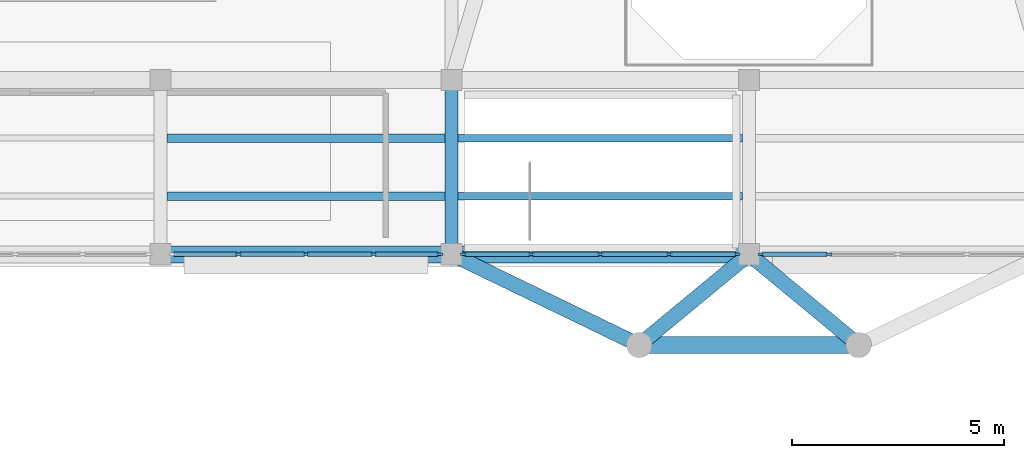
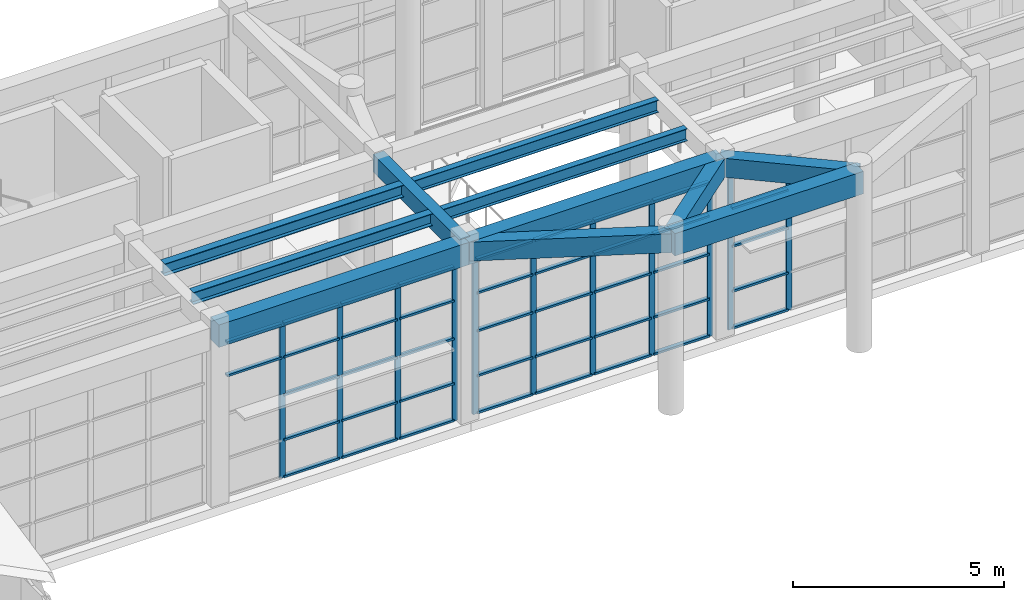
# One storey, part 16 of 103: 52 members, 11 beams, 3 elements without a shape of their own.
"""IFC4 building model written with IfcOpenShell, lengths in metres."""

from ifc_helpers import new_model, si_unit, direction, frame, origin, origin_2d, place, context, subcontext, project, spatial, rectangle, i_section, extrude, material, layer, layer_set, material_profile, profile_set, type_object, element, aggregate, save


model = new_model("IFC4")

# Units and contexts
model_context = context("Model", 3, precision=1e-05, world=origin(), true_north=direction((0.0, 1.0)))
body_context = subcontext(model_context, "Body", "Model", "MODEL_VIEW")
ifc_project = project(units=[si_unit("LENGTHUNIT", "METRE"), si_unit("AREAUNIT", "SQUARE_METRE"), si_unit("VOLUMEUNIT", "CUBIC_METRE"), si_unit("PLANEANGLEUNIT", "RADIAN"), si_unit("MASSUNIT", "GRAM", prefix="KILO")], contexts=[model_context])

# Site, building, storey
site_placement = place(None, origin())
site = spatial("IfcSite", under=ifc_project, at=site_placement, CompositionType="ELEMENT")
building_placement = place(site_placement, origin())
building = spatial("IfcBuilding", under=site, at=building_placement, Name="Candilejo Ridge Gondola Terminal", CompositionType="ELEMENT")
storey_placement = place(building_placement, frame((0.0, 0.0, 9.0)))
storey = spatial("IfcBuildingStorey", under=building, at=storey_placement, Name="L02", CompositionType="ELEMENT", Elevation=9.0)

# Curtain wall, members
ifc_material_1 = material(Name="Anodised aluminium AA 6063-T6", Category="aluminium")
ifc_layer_1 = layer(ifc_material_1, 0.169921875)
ifc_layer_set_1 = layer_set([ifc_layer_1], Name="ARC-CW-DRUM-3400-635X449")
curtain_wall_type_1 = type_object("IfcCurtainWallType", Name="ARC-CW-DRUM-3400-635X449", PredefinedType="NOTDEFINED", material=ifc_layer_set_1)
curtain_wall_1_placement = place(storey_placement, origin())
curtain_wall_1 = element("IfcCurtainWall", 1, at=curtain_wall_1_placement, inside=storey, type_object=curtain_wall_type_1, Name="Curtain wall V2 L02-049", PredefinedType="NOTDEFINED")
ifc_material_2 = material(Name="Anodised aluminium AA 6063-T6", Category="aluminium")
ifc_material_profile_1 = material_profile(ifc_material_2, rectangle(XDim=0.06494140625, YDim=0.14990234375, at=origin_2d()))
ifc_profile_set_1 = profile_set([ifc_material_profile_1], Name="Anodised aluminium AA 6063-T6")
member_type_1 = type_object("IfcMemberType", Name="ARC-CW-MULLION-150", PredefinedType="MULLION", material=ifc_profile_set_1)
member_1_placement = place(storey_placement, frame((53.33740234375, 25.699951171875, 0.0), z_axis=(0.0, 0.0, 1.0), x_axis=(0.0, 1.0, 0.0)))
member_1 = element("IfcMember", 2, at=member_1_placement, type_object=member_type_1, Name="CW-63X44 mullion 2", PredefinedType="MULLION", context=body_context, shape_type="SweptSolid", body=[
    extrude(rectangle(XDim=0.06494140625, YDim=0.14990234375, at=origin_2d()), origin(), (0.0, 0.0, 1.0), 4.489990234375),
])
member_2_placement = place(storey_placement, frame((54.925048828125, 25.699951171875, 0.0), z_axis=(0.0, 0.0, 1.0), x_axis=(0.0, 1.0, 0.0)))
member_2 = element("IfcMember", 3, at=member_2_placement, type_object=member_type_1, Name="CW-63X44 mullion 3", PredefinedType="MULLION", context=body_context, shape_type="SweptSolid", body=[
    extrude(rectangle(XDim=0.06494140625, YDim=0.14990234375, at=origin_2d()), origin(), (0.0, 0.0, 1.0), 4.489990234375),
])
member_3_placement = place(storey_placement, frame((56.512451171875, 25.699951171875, 0.0), z_axis=(0.0, 0.0, 1.0), x_axis=(0.0, 1.0, 0.0)))
member_3 = element("IfcMember", 4, at=member_3_placement, type_object=member_type_1, Name="CW-63X44 mullion 4", PredefinedType="MULLION", context=body_context, shape_type="SweptSolid", body=[
    extrude(rectangle(XDim=0.06494140625, YDim=0.14990234375, at=origin_2d()), origin(), (0.0, 0.0, 1.0), 4.489990234375),
])
member_4_placement = place(storey_placement, frame((58.0673828125, 25.699951171875, 0.0), z_axis=(0.0, 0.0, 1.0), x_axis=(0.0, 1.0, 0.0)))
member_4 = element("IfcMember", 5, at=member_4_placement, type_object=member_type_1, Name="CW-63X44 mullion 5", PredefinedType="MULLION", context=body_context, shape_type="SweptSolid", body=[
    extrude(rectangle(XDim=0.06494140625, YDim=0.14990234375, at=origin_2d()), origin(), (0.0, 0.0, 1.0), 4.489990234375),
])

ifc_material_3 = material(Name="Anodised aluminium AA 6063-T6", Category="aluminium")
ifc_layer_2 = layer(ifc_material_3, 0.169921875)
ifc_layer_set_2 = layer_set([ifc_layer_2], Name="ARC-CW-DRUM-3400-650X449")
curtain_wall_type_2 = type_object("IfcCurtainWallType", Name="ARC-CW-DRUM-3400-650X449", PredefinedType="NOTDEFINED", material=ifc_layer_set_2)
curtain_wall_2_placement = place(storey_placement, origin())
curtain_wall_2 = element("IfcCurtainWall", 6, at=curtain_wall_2_placement, inside=storey, type_object=curtain_wall_type_2, Name="Curtain wall V2 L02-051", PredefinedType="NOTDEFINED")
member_5_placement = place(storey_placement, frame((58.632568359375, 25.699951171875, 0.0), z_axis=(0.0, 0.0, 1.0), x_axis=(0.0, 1.0, 0.0)))
member_5 = element("IfcMember", 7, at=member_5_placement, type_object=member_type_1, Name="CW-65X44 mullion 1", PredefinedType="MULLION", context=body_context, shape_type="SweptSolid", body=[
    extrude(rectangle(XDim=0.06494140625, YDim=0.14990234375, at=origin_2d()), origin(), (0.0, 0.0, 1.0), 4.489990234375),
])
member_6_placement = place(storey_placement, frame((60.22509765625, 25.699951171875, 0.0), z_axis=(0.0, 0.0, 1.0), x_axis=(0.0, 1.0, 0.0)))
member_6 = element("IfcMember", 8, at=member_6_placement, type_object=member_type_1, Name="CW-65X44 mullion 2", PredefinedType="MULLION", context=body_context, shape_type="SweptSolid", body=[
    extrude(rectangle(XDim=0.06494140625, YDim=0.14990234375, at=origin_2d()), origin(), (0.0, 0.0, 1.0), 4.489990234375),
])
member_7_placement = place(storey_placement, frame((61.85009765625, 25.699951171875, 0.0), z_axis=(0.0, 0.0, 1.0), x_axis=(0.0, 1.0, 0.0)))
member_7 = element("IfcMember", 9, at=member_7_placement, type_object=member_type_1, Name="CW-65X44 mullion 3", PredefinedType="MULLION", context=body_context, shape_type="SweptSolid", body=[
    extrude(rectangle(XDim=0.06494140625, YDim=0.14990234375, at=origin_2d()), origin(), (0.0, 0.0, 1.0), 4.489990234375),
])
member_8_placement = place(storey_placement, frame((63.47509765625, 25.699951171875, 0.0), z_axis=(0.0, 0.0, 1.0), x_axis=(0.0, 1.0, 0.0)))
member_8 = element("IfcMember", 10, at=member_8_placement, type_object=member_type_1, Name="CW-65X44 mullion 4", PredefinedType="MULLION", context=body_context, shape_type="SweptSolid", body=[
    extrude(rectangle(XDim=0.06494140625, YDim=0.14990234375, at=origin_2d()), origin(), (0.0, 0.0, 1.0), 4.489990234375),
])
member_9_placement = place(storey_placement, frame((65.0673828125, 25.699951171875, 0.0), z_axis=(0.0, 0.0, 1.0), x_axis=(0.0, 1.0, 0.0)))
member_9 = element("IfcMember", 11, at=member_9_placement, type_object=member_type_1, Name="CW-65X44 mullion 5", PredefinedType="MULLION", context=body_context, shape_type="SweptSolid", body=[
    extrude(rectangle(XDim=0.06494140625, YDim=0.14990234375, at=origin_2d()), origin(), (0.0, 0.0, 1.0), 4.489990234375),
])

curtain_wall_3_placement = place(storey_placement, origin())
curtain_wall_3 = element("IfcCurtainWall", 12, at=curtain_wall_3_placement, inside=storey, type_object=curtain_wall_type_2, Name="Curtain wall V2 L02-053", PredefinedType="NOTDEFINED")
member_10_placement = place(storey_placement, frame((65.632568359375, 25.699951171875, 0.0), z_axis=(0.0, 0.0, 1.0), x_axis=(0.0, 1.0, 0.0)))
member_10 = element("IfcMember", 13, at=member_10_placement, type_object=member_type_1, Name="CW-65X44 mullion 1", PredefinedType="MULLION", context=body_context, shape_type="SweptSolid", body=[
    extrude(rectangle(XDim=0.06494140625, YDim=0.14990234375, at=origin_2d()), origin(), (0.0, 0.0, 1.0), 4.489990234375),
])
member_11_placement = place(storey_placement, frame((67.22509765625, 25.699951171875, 0.0), z_axis=(0.0, 0.0, 1.0), x_axis=(0.0, 1.0, 0.0)))
member_11 = element("IfcMember", 14, at=member_11_placement, type_object=member_type_1, Name="CW-65X44 mullion 2", PredefinedType="MULLION", context=body_context, shape_type="SweptSolid", body=[
    extrude(rectangle(XDim=0.06494140625, YDim=0.14990234375, at=origin_2d()), origin(), (0.0, 0.0, 1.0), 4.489990234375),
])

# Member
ifc_material_4 = material(Name="Anodised aluminium AA 6063-T6", Category="aluminium")
ifc_material_profile_2 = material_profile(ifc_material_4, rectangle(XDim=0.110107421875, YDim=0.06005859375, at=origin_2d()))
ifc_profile_set_2 = profile_set([ifc_material_profile_2], Name="Anodised aluminium AA 6063-T6")
member_type_2 = type_object("IfcMemberType", Name="ARC-CW-TRANSOM-110", PredefinedType="USERDEFINED", material=ifc_profile_set_2)
member_12_placement = place(storey_placement, frame((51.81494140625, 25.699951171875, 3.5), z_axis=(1.0, 0.0, 0.0), x_axis=(0.0, 1.0, 0.0)))
member_12 = element("IfcMember", 15, at=member_12_placement, type_object=member_type_2, Name="CW-63X44 transom 1.4", ObjectType="TRANSOM", PredefinedType="USERDEFINED", context=body_context, shape_type="SweptSolid", body=[
    extrude(rectangle(XDim=0.110107421875, YDim=0.06005859375, at=origin_2d()), origin(), (0.0, 0.0, 1.0), 1.489990234375),
])

member_13_placement = place(storey_placement, frame((51.81494140625, 25.699951171875, 4.4599609375), z_axis=(1.0, 0.0, 0.0), x_axis=(0.0, 1.0, 0.0)))
member_13 = element("IfcMember", 16, at=member_13_placement, type_object=member_type_2, Name="CW-63X44 transom 1.5", ObjectType="TRANSOM", PredefinedType="USERDEFINED", context=body_context, shape_type="SweptSolid", body=[
    extrude(rectangle(XDim=0.110107421875, YDim=0.06005859375, at=origin_2d()), origin(), (0.0, 0.0, 1.0), 1.489990234375),
])

member_14_placement = place(storey_placement, frame((53.3701171875, 25.699951171875, 0.030029296875), z_axis=(1.0, 0.0, 0.0), x_axis=(0.0, 1.0, 0.0)))
member_14 = element("IfcMember", 17, at=member_14_placement, type_object=member_type_2, Name="CW-63X44 transom 2.1", ObjectType="TRANSOM", PredefinedType="USERDEFINED", context=body_context, shape_type="SweptSolid", body=[
    extrude(rectangle(XDim=0.110107421875, YDim=0.06005859375, at=origin_2d()), origin(), (0.0, 0.0, 1.0), 1.5224609375),
])

member_15_placement = place(storey_placement, frame((53.3701171875, 25.699951171875, 1.10009765625), z_axis=(1.0, 0.0, 0.0), x_axis=(0.0, 1.0, 0.0)))
member_15 = element("IfcMember", 18, at=member_15_placement, type_object=member_type_2, Name="CW-63X44 transom 2.2", ObjectType="TRANSOM", PredefinedType="USERDEFINED", context=body_context, shape_type="SweptSolid", body=[
    extrude(rectangle(XDim=0.110107421875, YDim=0.06005859375, at=origin_2d()), origin(), (0.0, 0.0, 1.0), 1.5224609375),
])

member_16_placement = place(storey_placement, frame((53.3701171875, 25.699951171875, 2.39990234375), z_axis=(1.0, 0.0, 0.0), x_axis=(0.0, 1.0, 0.0)))
member_16 = element("IfcMember", 19, at=member_16_placement, type_object=member_type_2, Name="CW-63X44 transom 2.3", ObjectType="TRANSOM", PredefinedType="USERDEFINED", context=body_context, shape_type="SweptSolid", body=[
    extrude(rectangle(XDim=0.110107421875, YDim=0.06005859375, at=origin_2d()), origin(), (0.0, 0.0, 1.0), 1.5224609375),
])

member_17_placement = place(storey_placement, frame((53.3701171875, 25.699951171875, 3.5), z_axis=(1.0, 0.0, 0.0), x_axis=(0.0, 1.0, 0.0)))
member_17 = element("IfcMember", 20, at=member_17_placement, type_object=member_type_2, Name="CW-63X44 transom 2.4", ObjectType="TRANSOM", PredefinedType="USERDEFINED", context=body_context, shape_type="SweptSolid", body=[
    extrude(rectangle(XDim=0.110107421875, YDim=0.06005859375, at=origin_2d()), origin(), (0.0, 0.0, 1.0), 1.5224609375),
])

member_18_placement = place(storey_placement, frame((53.3701171875, 25.699951171875, 4.4599609375), z_axis=(1.0, 0.0, 0.0), x_axis=(0.0, 1.0, 0.0)))
member_18 = element("IfcMember", 21, at=member_18_placement, type_object=member_type_2, Name="CW-63X44 transom 2.5", ObjectType="TRANSOM", PredefinedType="USERDEFINED", context=body_context, shape_type="SweptSolid", body=[
    extrude(rectangle(XDim=0.110107421875, YDim=0.06005859375, at=origin_2d()), origin(), (0.0, 0.0, 1.0), 1.5224609375),
])

member_19_placement = place(storey_placement, frame((54.95751953125, 25.699951171875, 0.030029296875), z_axis=(1.0, 0.0, 0.0), x_axis=(0.0, 1.0, 0.0)))
member_19 = element("IfcMember", 22, at=member_19_placement, type_object=member_type_2, Name="CW-63X44 transom 3.1", ObjectType="TRANSOM", PredefinedType="USERDEFINED", context=body_context, shape_type="SweptSolid", body=[
    extrude(rectangle(XDim=0.110107421875, YDim=0.06005859375, at=origin_2d()), origin(), (0.0, 0.0, 1.0), 1.5224609375),
])

member_20_placement = place(storey_placement, frame((54.95751953125, 25.699951171875, 1.10009765625), z_axis=(1.0, 0.0, 0.0), x_axis=(0.0, 1.0, 0.0)))
member_20 = element("IfcMember", 23, at=member_20_placement, type_object=member_type_2, Name="CW-63X44 transom 3.2", ObjectType="TRANSOM", PredefinedType="USERDEFINED", context=body_context, shape_type="SweptSolid", body=[
    extrude(rectangle(XDim=0.110107421875, YDim=0.06005859375, at=origin_2d()), origin(), (0.0, 0.0, 1.0), 1.5224609375),
])

member_21_placement = place(storey_placement, frame((54.95751953125, 25.699951171875, 2.39990234375), z_axis=(1.0, 0.0, 0.0), x_axis=(0.0, 1.0, 0.0)))
member_21 = element("IfcMember", 24, at=member_21_placement, type_object=member_type_2, Name="CW-63X44 transom 3.3", ObjectType="TRANSOM", PredefinedType="USERDEFINED", context=body_context, shape_type="SweptSolid", body=[
    extrude(rectangle(XDim=0.110107421875, YDim=0.06005859375, at=origin_2d()), origin(), (0.0, 0.0, 1.0), 1.5224609375),
])

member_22_placement = place(storey_placement, frame((54.95751953125, 25.699951171875, 3.5), z_axis=(1.0, 0.0, 0.0), x_axis=(0.0, 1.0, 0.0)))
member_22 = element("IfcMember", 25, at=member_22_placement, type_object=member_type_2, Name="CW-63X44 transom 3.4", ObjectType="TRANSOM", PredefinedType="USERDEFINED", context=body_context, shape_type="SweptSolid", body=[
    extrude(rectangle(XDim=0.110107421875, YDim=0.06005859375, at=origin_2d()), origin(), (0.0, 0.0, 1.0), 1.5224609375),
])

member_23_placement = place(storey_placement, frame((54.95751953125, 25.699951171875, 4.4599609375), z_axis=(1.0, 0.0, 0.0), x_axis=(0.0, 1.0, 0.0)))
member_23 = element("IfcMember", 26, at=member_23_placement, type_object=member_type_2, Name="CW-63X44 transom 3.5", ObjectType="TRANSOM", PredefinedType="USERDEFINED", context=body_context, shape_type="SweptSolid", body=[
    extrude(rectangle(XDim=0.110107421875, YDim=0.06005859375, at=origin_2d()), origin(), (0.0, 0.0, 1.0), 1.5224609375),
])

member_24_placement = place(storey_placement, frame((56.544921875, 25.699951171875, 0.030029296875), z_axis=(1.0, 0.0, 0.0), x_axis=(0.0, 1.0, 0.0)))
member_24 = element("IfcMember", 27, at=member_24_placement, type_object=member_type_2, Name="CW-63X44 transom 4.1", ObjectType="TRANSOM", PredefinedType="USERDEFINED", context=body_context, shape_type="SweptSolid", body=[
    extrude(rectangle(XDim=0.110107421875, YDim=0.06005859375, at=origin_2d()), origin(), (0.0, 0.0, 1.0), 1.489990234375),
])

member_25_placement = place(storey_placement, frame((56.544921875, 25.699951171875, 1.10009765625), z_axis=(1.0, 0.0, 0.0), x_axis=(0.0, 1.0, 0.0)))
member_25 = element("IfcMember", 28, at=member_25_placement, type_object=member_type_2, Name="CW-63X44 transom 4.2", ObjectType="TRANSOM", PredefinedType="USERDEFINED", context=body_context, shape_type="SweptSolid", body=[
    extrude(rectangle(XDim=0.110107421875, YDim=0.06005859375, at=origin_2d()), origin(), (0.0, 0.0, 1.0), 1.489990234375),
])

member_26_placement = place(storey_placement, frame((56.544921875, 25.699951171875, 2.39990234375), z_axis=(1.0, 0.0, 0.0), x_axis=(0.0, 1.0, 0.0)))
member_26 = element("IfcMember", 29, at=member_26_placement, type_object=member_type_2, Name="CW-63X44 transom 4.3", ObjectType="TRANSOM", PredefinedType="USERDEFINED", context=body_context, shape_type="SweptSolid", body=[
    extrude(rectangle(XDim=0.110107421875, YDim=0.06005859375, at=origin_2d()), origin(), (0.0, 0.0, 1.0), 1.489990234375),
])

member_27_placement = place(storey_placement, frame((56.544921875, 25.699951171875, 3.5), z_axis=(1.0, 0.0, 0.0), x_axis=(0.0, 1.0, 0.0)))
member_27 = element("IfcMember", 30, at=member_27_placement, type_object=member_type_2, Name="CW-63X44 transom 4.4", ObjectType="TRANSOM", PredefinedType="USERDEFINED", context=body_context, shape_type="SweptSolid", body=[
    extrude(rectangle(XDim=0.110107421875, YDim=0.06005859375, at=origin_2d()), origin(), (0.0, 0.0, 1.0), 1.489990234375),
])

member_28_placement = place(storey_placement, frame((56.544921875, 25.699951171875, 4.4599609375), z_axis=(1.0, 0.0, 0.0), x_axis=(0.0, 1.0, 0.0)))
member_28 = element("IfcMember", 31, at=member_28_placement, type_object=member_type_2, Name="CW-63X44 transom 4.5", ObjectType="TRANSOM", PredefinedType="USERDEFINED", context=body_context, shape_type="SweptSolid", body=[
    extrude(rectangle(XDim=0.110107421875, YDim=0.06005859375, at=origin_2d()), origin(), (0.0, 0.0, 1.0), 1.489990234375),
])

aggregate(curtain_wall_1, [member_1, member_2, member_3, member_4, member_12, member_13, member_14, member_15, member_16, member_17, member_18, member_19, member_20, member_21, member_22, member_23, member_24, member_25, member_26, member_27, member_28])

member_29_placement = place(storey_placement, frame((58.6650390625, 25.699951171875, 0.030029296875), z_axis=(1.0, 0.0, 0.0), x_axis=(0.0, 1.0, 0.0)))
member_29 = element("IfcMember", 32, at=member_29_placement, type_object=member_type_2, Name="CW-65X44 transom 1.1", ObjectType="TRANSOM", PredefinedType="USERDEFINED", context=body_context, shape_type="SweptSolid", body=[
    extrude(rectangle(XDim=0.110107421875, YDim=0.06005859375, at=origin_2d()), origin(), (0.0, 0.0, 1.0), 1.52734375),
])

member_30_placement = place(storey_placement, frame((58.6650390625, 25.699951171875, 1.10009765625), z_axis=(1.0, 0.0, 0.0), x_axis=(0.0, 1.0, 0.0)))
member_30 = element("IfcMember", 33, at=member_30_placement, type_object=member_type_2, Name="CW-65X44 transom 1.2", ObjectType="TRANSOM", PredefinedType="USERDEFINED", context=body_context, shape_type="SweptSolid", body=[
    extrude(rectangle(XDim=0.110107421875, YDim=0.06005859375, at=origin_2d()), origin(), (0.0, 0.0, 1.0), 1.52734375),
])

member_31_placement = place(storey_placement, frame((58.6650390625, 25.699951171875, 2.39990234375), z_axis=(1.0, 0.0, 0.0), x_axis=(0.0, 1.0, 0.0)))
member_31 = element("IfcMember", 34, at=member_31_placement, type_object=member_type_2, Name="CW-65X44 transom 1.3", ObjectType="TRANSOM", PredefinedType="USERDEFINED", context=body_context, shape_type="SweptSolid", body=[
    extrude(rectangle(XDim=0.110107421875, YDim=0.06005859375, at=origin_2d()), origin(), (0.0, 0.0, 1.0), 1.52734375),
])

member_32_placement = place(storey_placement, frame((58.6650390625, 25.699951171875, 3.5), z_axis=(1.0, 0.0, 0.0), x_axis=(0.0, 1.0, 0.0)))
member_32 = element("IfcMember", 35, at=member_32_placement, type_object=member_type_2, Name="CW-65X44 transom 1.4", ObjectType="TRANSOM", PredefinedType="USERDEFINED", context=body_context, shape_type="SweptSolid", body=[
    extrude(rectangle(XDim=0.110107421875, YDim=0.06005859375, at=origin_2d()), origin(), (0.0, 0.0, 1.0), 1.52734375),
])

member_33_placement = place(storey_placement, frame((58.6650390625, 25.699951171875, 4.4599609375), z_axis=(1.0, 0.0, 0.0), x_axis=(0.0, 1.0, 0.0)))
member_33 = element("IfcMember", 36, at=member_33_placement, type_object=member_type_2, Name="CW-65X44 transom 1.5", ObjectType="TRANSOM", PredefinedType="USERDEFINED", context=body_context, shape_type="SweptSolid", body=[
    extrude(rectangle(XDim=0.110107421875, YDim=0.06005859375, at=origin_2d()), origin(), (0.0, 0.0, 1.0), 1.52734375),
])

member_34_placement = place(storey_placement, frame((60.257568359375, 25.699951171875, 0.030029296875), z_axis=(1.0, 0.0, 0.0), x_axis=(0.0, 1.0, 0.0)))
member_34 = element("IfcMember", 37, at=member_34_placement, type_object=member_type_2, Name="CW-65X44 transom 2.1", ObjectType="TRANSOM", PredefinedType="USERDEFINED", context=body_context, shape_type="SweptSolid", body=[
    extrude(rectangle(XDim=0.110107421875, YDim=0.06005859375, at=origin_2d()), origin(), (0.0, 0.0, 1.0), 1.559814453125),
])

member_35_placement = place(storey_placement, frame((60.257568359375, 25.699951171875, 1.10009765625), z_axis=(1.0, 0.0, 0.0), x_axis=(0.0, 1.0, 0.0)))
member_35 = element("IfcMember", 38, at=member_35_placement, type_object=member_type_2, Name="CW-65X44 transom 2.2", ObjectType="TRANSOM", PredefinedType="USERDEFINED", context=body_context, shape_type="SweptSolid", body=[
    extrude(rectangle(XDim=0.110107421875, YDim=0.06005859375, at=origin_2d()), origin(), (0.0, 0.0, 1.0), 1.559814453125),
])

member_36_placement = place(storey_placement, frame((60.257568359375, 25.699951171875, 2.39990234375), z_axis=(1.0, 0.0, 0.0), x_axis=(0.0, 1.0, 0.0)))
member_36 = element("IfcMember", 39, at=member_36_placement, type_object=member_type_2, Name="CW-65X44 transom 2.3", ObjectType="TRANSOM", PredefinedType="USERDEFINED", context=body_context, shape_type="SweptSolid", body=[
    extrude(rectangle(XDim=0.110107421875, YDim=0.06005859375, at=origin_2d()), origin(), (0.0, 0.0, 1.0), 1.559814453125),
])

member_37_placement = place(storey_placement, frame((60.257568359375, 25.699951171875, 3.5), z_axis=(1.0, 0.0, 0.0), x_axis=(0.0, 1.0, 0.0)))
member_37 = element("IfcMember", 40, at=member_37_placement, type_object=member_type_2, Name="CW-65X44 transom 2.4", ObjectType="TRANSOM", PredefinedType="USERDEFINED", context=body_context, shape_type="SweptSolid", body=[
    extrude(rectangle(XDim=0.110107421875, YDim=0.06005859375, at=origin_2d()), origin(), (0.0, 0.0, 1.0), 1.559814453125),
])

member_38_placement = place(storey_placement, frame((60.257568359375, 25.699951171875, 4.4599609375), z_axis=(1.0, 0.0, 0.0), x_axis=(0.0, 1.0, 0.0)))
member_38 = element("IfcMember", 41, at=member_38_placement, type_object=member_type_2, Name="CW-65X44 transom 2.5", ObjectType="TRANSOM", PredefinedType="USERDEFINED", context=body_context, shape_type="SweptSolid", body=[
    extrude(rectangle(XDim=0.110107421875, YDim=0.06005859375, at=origin_2d()), origin(), (0.0, 0.0, 1.0), 1.559814453125),
])

member_39_placement = place(storey_placement, frame((61.882568359375, 25.699951171875, 0.030029296875), z_axis=(1.0, 0.0, 0.0), x_axis=(0.0, 1.0, 0.0)))
member_39 = element("IfcMember", 42, at=member_39_placement, type_object=member_type_2, Name="CW-65X44 transom 3.1", ObjectType="TRANSOM", PredefinedType="USERDEFINED", context=body_context, shape_type="SweptSolid", body=[
    extrude(rectangle(XDim=0.110107421875, YDim=0.06005859375, at=origin_2d()), origin(), (0.0, 0.0, 1.0), 1.559814453125),
])

member_40_placement = place(storey_placement, frame((61.882568359375, 25.699951171875, 1.10009765625), z_axis=(1.0, 0.0, 0.0), x_axis=(0.0, 1.0, 0.0)))
member_40 = element("IfcMember", 43, at=member_40_placement, type_object=member_type_2, Name="CW-65X44 transom 3.2", ObjectType="TRANSOM", PredefinedType="USERDEFINED", context=body_context, shape_type="SweptSolid", body=[
    extrude(rectangle(XDim=0.110107421875, YDim=0.06005859375, at=origin_2d()), origin(), (0.0, 0.0, 1.0), 1.559814453125),
])

member_41_placement = place(storey_placement, frame((61.882568359375, 25.699951171875, 2.39990234375), z_axis=(1.0, 0.0, 0.0), x_axis=(0.0, 1.0, 0.0)))
member_41 = element("IfcMember", 44, at=member_41_placement, type_object=member_type_2, Name="CW-65X44 transom 3.3", ObjectType="TRANSOM", PredefinedType="USERDEFINED", context=body_context, shape_type="SweptSolid", body=[
    extrude(rectangle(XDim=0.110107421875, YDim=0.06005859375, at=origin_2d()), origin(), (0.0, 0.0, 1.0), 1.559814453125),
])

member_42_placement = place(storey_placement, frame((61.882568359375, 25.699951171875, 3.5), z_axis=(1.0, 0.0, 0.0), x_axis=(0.0, 1.0, 0.0)))
member_42 = element("IfcMember", 45, at=member_42_placement, type_object=member_type_2, Name="CW-65X44 transom 3.4", ObjectType="TRANSOM", PredefinedType="USERDEFINED", context=body_context, shape_type="SweptSolid", body=[
    extrude(rectangle(XDim=0.110107421875, YDim=0.06005859375, at=origin_2d()), origin(), (0.0, 0.0, 1.0), 1.559814453125),
])

member_43_placement = place(storey_placement, frame((61.882568359375, 25.699951171875, 4.4599609375), z_axis=(1.0, 0.0, 0.0), x_axis=(0.0, 1.0, 0.0)))
member_43 = element("IfcMember", 46, at=member_43_placement, type_object=member_type_2, Name="CW-65X44 transom 3.5", ObjectType="TRANSOM", PredefinedType="USERDEFINED", context=body_context, shape_type="SweptSolid", body=[
    extrude(rectangle(XDim=0.110107421875, YDim=0.06005859375, at=origin_2d()), origin(), (0.0, 0.0, 1.0), 1.559814453125),
])

member_44_placement = place(storey_placement, frame((63.507568359375, 25.699951171875, 0.030029296875), z_axis=(1.0, 0.0, 0.0), x_axis=(0.0, 1.0, 0.0)))
member_44 = element("IfcMember", 47, at=member_44_placement, type_object=member_type_2, Name="CW-65X44 transom 4.1", ObjectType="TRANSOM", PredefinedType="USERDEFINED", context=body_context, shape_type="SweptSolid", body=[
    extrude(rectangle(XDim=0.110107421875, YDim=0.06005859375, at=origin_2d()), origin(), (0.0, 0.0, 1.0), 1.52734375),
])

member_45_placement = place(storey_placement, frame((63.507568359375, 25.699951171875, 1.10009765625), z_axis=(1.0, 0.0, 0.0), x_axis=(0.0, 1.0, 0.0)))
member_45 = element("IfcMember", 48, at=member_45_placement, type_object=member_type_2, Name="CW-65X44 transom 4.2", ObjectType="TRANSOM", PredefinedType="USERDEFINED", context=body_context, shape_type="SweptSolid", body=[
    extrude(rectangle(XDim=0.110107421875, YDim=0.06005859375, at=origin_2d()), origin(), (0.0, 0.0, 1.0), 1.52734375),
])

member_46_placement = place(storey_placement, frame((63.507568359375, 25.699951171875, 2.39990234375), z_axis=(1.0, 0.0, 0.0), x_axis=(0.0, 1.0, 0.0)))
member_46 = element("IfcMember", 49, at=member_46_placement, type_object=member_type_2, Name="CW-65X44 transom 4.3", ObjectType="TRANSOM", PredefinedType="USERDEFINED", context=body_context, shape_type="SweptSolid", body=[
    extrude(rectangle(XDim=0.110107421875, YDim=0.06005859375, at=origin_2d()), origin(), (0.0, 0.0, 1.0), 1.52734375),
])

member_47_placement = place(storey_placement, frame((63.507568359375, 25.699951171875, 3.5), z_axis=(1.0, 0.0, 0.0), x_axis=(0.0, 1.0, 0.0)))
member_47 = element("IfcMember", 50, at=member_47_placement, type_object=member_type_2, Name="CW-65X44 transom 4.4", ObjectType="TRANSOM", PredefinedType="USERDEFINED", context=body_context, shape_type="SweptSolid", body=[
    extrude(rectangle(XDim=0.110107421875, YDim=0.06005859375, at=origin_2d()), origin(), (0.0, 0.0, 1.0), 1.52734375),
])

member_48_placement = place(storey_placement, frame((63.507568359375, 25.699951171875, 4.4599609375), z_axis=(1.0, 0.0, 0.0), x_axis=(0.0, 1.0, 0.0)))
member_48 = element("IfcMember", 51, at=member_48_placement, type_object=member_type_2, Name="CW-65X44 transom 4.5", ObjectType="TRANSOM", PredefinedType="USERDEFINED", context=body_context, shape_type="SweptSolid", body=[
    extrude(rectangle(XDim=0.110107421875, YDim=0.06005859375, at=origin_2d()), origin(), (0.0, 0.0, 1.0), 1.52734375),
])

aggregate(curtain_wall_2, [member_5, member_6, member_7, member_8, member_9, member_29, member_30, member_31, member_32, member_33, member_34, member_35, member_36, member_37, member_38, member_39, member_40, member_41, member_42, member_43, member_44, member_45, member_46, member_47, member_48])

member_49_placement = place(storey_placement, frame((65.6650390625, 25.699951171875, 0.030029296875), z_axis=(1.0, 0.0, 0.0), x_axis=(0.0, 1.0, 0.0)))
member_49 = element("IfcMember", 52, at=member_49_placement, type_object=member_type_2, Name="CW-65X44 transom 1.1", ObjectType="TRANSOM", PredefinedType="USERDEFINED", context=body_context, shape_type="SweptSolid", body=[
    extrude(rectangle(XDim=0.110107421875, YDim=0.06005859375, at=origin_2d()), origin(), (0.0, 0.0, 1.0), 1.52734375),
])

member_50_placement = place(storey_placement, frame((65.6650390625, 25.699951171875, 1.10009765625), z_axis=(1.0, 0.0, 0.0), x_axis=(0.0, 1.0, 0.0)))
member_50 = element("IfcMember", 53, at=member_50_placement, type_object=member_type_2, Name="CW-65X44 transom 1.2", ObjectType="TRANSOM", PredefinedType="USERDEFINED", context=body_context, shape_type="SweptSolid", body=[
    extrude(rectangle(XDim=0.110107421875, YDim=0.06005859375, at=origin_2d()), origin(), (0.0, 0.0, 1.0), 1.52734375),
])

member_51_placement = place(storey_placement, frame((65.6650390625, 25.699951171875, 2.39990234375), z_axis=(1.0, 0.0, 0.0), x_axis=(0.0, 1.0, 0.0)))
member_51 = element("IfcMember", 54, at=member_51_placement, type_object=member_type_2, Name="CW-65X44 transom 1.3", ObjectType="TRANSOM", PredefinedType="USERDEFINED", context=body_context, shape_type="SweptSolid", body=[
    extrude(rectangle(XDim=0.110107421875, YDim=0.06005859375, at=origin_2d()), origin(), (0.0, 0.0, 1.0), 1.52734375),
])

member_52_placement = place(storey_placement, frame((65.6650390625, 25.699951171875, 3.5), z_axis=(1.0, 0.0, 0.0), x_axis=(0.0, 1.0, 0.0)))
member_52 = element("IfcMember", 55, at=member_52_placement, type_object=member_type_2, Name="CW-65X44 transom 1.4", ObjectType="TRANSOM", PredefinedType="USERDEFINED", context=body_context, shape_type="SweptSolid", body=[
    extrude(rectangle(XDim=0.110107421875, YDim=0.06005859375, at=origin_2d()), origin(), (0.0, 0.0, 1.0), 1.52734375),
])

aggregate(curtain_wall_3, [member_10, member_11, member_49, member_50, member_51, member_52])

# Beams
ifc_material_5 = material(Name="Concrete f'c 35 MPa (C35/45)", Category="concrete")
ifc_material_profile_3 = material_profile(ifc_material_5, rectangle(XDim=0.300048828125, YDim=0.5, at=origin_2d()))
ifc_profile_set_3 = profile_set([ifc_material_profile_3], Name="Concrete f'c 35 MPa (C35/45)")
beam_type_1 = type_object("IfcBeamType", Name="STR-BM-RC300X500", PredefinedType="BEAM", material=ifc_profile_set_3)
beam_1_placement = place(storey_placement, frame((58.35009765625, 25.699951171875, 4.925048828125), z_axis=(0.0, 1.0, 0.0), x_axis=(-1.0, 0.0, 0.0)))
element("IfcBeam", 56, at=beam_1_placement, inside=storey, type_object=beam_type_1, Name="Beam Y V2 L02 Y05-Y06@X09", PredefinedType="BEAM", context=body_context, shape_type="SweptSolid", body=[
    extrude(rectangle(XDim=0.300048828125, YDim=0.5, at=origin_2d()), origin(), (0.0, 0.0, 1.0), 4.10009765625),
])
ifc_material_6 = material(Name="Concrete f'c 35 MPa (C35/45)", Category="concrete")
ifc_material_profile_4 = material_profile(ifc_material_6, rectangle(XDim=0.35009765625, YDim=0.550048828125, at=origin_2d()))
ifc_profile_set_4 = profile_set([ifc_material_profile_4], Name="Concrete f'c 35 MPa (C35/45)")
beam_type_2 = type_object("IfcBeamType", Name="STR-BM-RC350X550", PredefinedType="BEAM", material=ifc_profile_set_4)
beam_2_placement = place(storey_placement, frame((62.766845703125, 23.563720703125, 4.89990234375), z_axis=(0.770633578777, 0.637278500548, 0.0), x_axis=(-0.637278500548, 0.770633578777, 0.0)))
element("IfcBeam", 57, at=beam_2_placement, inside=storey, type_object=beam_type_2, Name="Rotunda radial tie beam L02 ROT6", PredefinedType="BEAM", context=body_context, shape_type="SweptSolid", body=[
    extrude(rectangle(XDim=0.35009765625, YDim=0.550048828125, at=origin_2d()), origin(), (0.0, 0.0, 1.0), 3.35205078125),
])
beam_3_placement = place(storey_placement, frame((62.766845703125, 23.563720703125, 4.89990234375), z_axis=(-0.900231615241, 0.435411344501, 0.0), x_axis=(-0.435411344501, -0.900231615241, 0.0)))
element("IfcBeam", 58, at=beam_3_placement, inside=storey, type_object=beam_type_2, Name="Rotunda radial tie beam L02 ROT6", PredefinedType="BEAM", context=body_context, shape_type="SweptSolid", body=[
    extrude(rectangle(XDim=0.35009765625, YDim=0.550048828125, at=origin_2d()), origin(), (0.0, 0.0, 1.0), 4.90625),
])
beam_4_placement = place(storey_placement, frame((67.93310546875, 23.563720703125, 4.89990234375), z_axis=(-0.770603997541, 0.637314270178, 0.0), x_axis=(-0.637314270178, -0.770603997541, 0.0)))
element("IfcBeam", 59, at=beam_4_placement, inside=storey, type_object=beam_type_2, Name="Rotunda radial tie beam L02 ROT7", PredefinedType="BEAM", context=body_context, shape_type="SweptSolid", body=[
    extrude(rectangle(XDim=0.35009765625, YDim=0.550048828125, at=origin_2d()), origin(), (0.0, 0.0, 1.0), 3.351806640625),
])
ifc_material_7 = material(Name="Steel ASTM A992 Grade 50", Category="steel")
ifc_material_profile_5 = material_profile(ifc_material_7, i_section(OverallWidth=0.1708984375, OverallDepth=0.35498046875, WebThickness=0.007080078125, FlangeThickness=0.01171875, at=origin_2d()))
ifc_profile_set_5 = profile_set([ifc_material_profile_5], Name="Steel ASTM A992 Grade 50")
beam_type_3 = type_object("IfcBeamType", Name="STR-JST-W360X51", PredefinedType="JOIST", material=ifc_profile_set_5)
for number, where, z_axis, x_axis, name in (
    (60, (58.5, 27.066650390625, 4.99755859375), (1.0, 0.0, 0.0), (0.0, 1.0, 0.0), "Composite joist V2 L02-0310"),
    (61, (58.5, 28.433349609375, 4.99755859375), (1.0, 0.0, 0.0), (0.0, 1.0, 0.0), "Composite joist V2 L02-0311"),
):
    element("IfcBeam", number, at=place(storey_placement, frame(where, z_axis=z_axis, x_axis=x_axis)), inside=storey, type_object=beam_type_3, Name=name, PredefinedType="JOIST", context=body_context, shape_type="SweptSolid", body=[
        extrude(i_section(OverallWidth=0.1708984375, OverallDepth=0.35498046875, WebThickness=0.007080078125, FlangeThickness=0.01171875, at=origin_2d()), origin(), (0.0, 0.0, 1.0), 6.699951171875),
    ])
ifc_material_8 = material(Name="Steel ASTM A992 Grade 50", Category="steel")
ifc_material_profile_6 = material_profile(ifc_material_8, i_section(OverallWidth=0.205078125, OverallDepth=0.35400390625, WebThickness=0.009521484375, FlangeThickness=0.016845703125, at=origin_2d()))
ifc_profile_set_6 = profile_set([ifc_material_profile_6], Name="Steel ASTM A992 Grade 50")
beam_type_4 = type_object("IfcBeamType", Name="STR-JST-W360X79", PredefinedType="JOIST", material=ifc_profile_set_6)
for number, where, z_axis, x_axis, name in (
    (62, (51.64990234375, 27.066650390625, 4.998046875), (1.0, 0.0, 0.0), (0.0, 1.0, 0.0), "Composite joist V2 L02-0308"),
    (63, (51.64990234375, 28.433349609375, 4.998046875), (1.0, 0.0, 0.0), (0.0, 1.0, 0.0), "Composite joist V2 L02-0309"),
):
    element("IfcBeam", number, at=place(storey_placement, frame(where, z_axis=z_axis, x_axis=x_axis)), inside=storey, type_object=beam_type_4, Name=name, PredefinedType="JOIST", context=body_context, shape_type="SweptSolid", body=[
        extrude(i_section(OverallWidth=0.205078125, OverallDepth=0.35400390625, WebThickness=0.009521484375, FlangeThickness=0.016845703125, at=origin_2d()), origin(), (0.0, 0.0, 1.0), 6.550048828125),
    ])
ifc_material_9 = material(Name="Concrete f'c 35 MPa (C35/45)", Category="concrete")
ifc_material_profile_7 = material_profile(ifc_material_9, rectangle(XDim=0.39990234375, YDim=0.64990234375, at=origin_2d()))
ifc_profile_set_7 = profile_set([ifc_material_profile_7], Name="Concrete f'c 35 MPa (C35/45)")
beam_type_5 = type_object("IfcBeamType", Name="STR-SPN-RC400X650", PredefinedType="SPANDREL", material=ifc_profile_set_7)
beam_5_placement = place(storey_placement, frame((51.5, 25.699951171875, 4.85009765625), z_axis=(1.0, 0.0, 0.0), x_axis=(0.0, 1.0, 0.0)))
element("IfcBeam", 64, at=beam_5_placement, inside=storey, type_object=beam_type_5, Name="Beam X V2 L02 X08-X09@Y05", PredefinedType="SPANDREL", context=body_context, shape_type="SweptSolid", body=[
    extrude(rectangle(XDim=0.39990234375, YDim=0.64990234375, at=origin_2d()), origin(), (0.0, 0.0, 1.0), 6.85009765625),
])
beam_6_placement = place(storey_placement, frame((58.35009765625, 25.699951171875, 4.85009765625), z_axis=(1.0, 0.0, 0.0), x_axis=(0.0, 1.0, 0.0)))
element("IfcBeam", 65, at=beam_6_placement, inside=storey, type_object=beam_type_5, Name="Beam X V2 L02 X09-X10@Y05", PredefinedType="SPANDREL", context=body_context, shape_type="SweptSolid", body=[
    extrude(rectangle(XDim=0.39990234375, YDim=0.64990234375, at=origin_2d()), origin(), (0.0, 0.0, 1.0), 7.0),
])
beam_7_placement = place(storey_placement, frame((62.766845703125, 23.563720703125, 4.85009765625), z_axis=(1.0, 0.0, 0.0), x_axis=(0.0, 1.0, 0.0)))
element("IfcBeam", 66, at=beam_7_placement, inside=storey, type_object=beam_type_5, Name="Rotunda ring beam L02 ROT6-ROT7", PredefinedType="SPANDREL", context=body_context, shape_type="SweptSolid", body=[
    extrude(rectangle(XDim=0.39990234375, YDim=0.64990234375, at=origin_2d()), origin(), (0.0, 0.0, 1.0), 5.166259765625),
])

save(model, "model.ifc")
